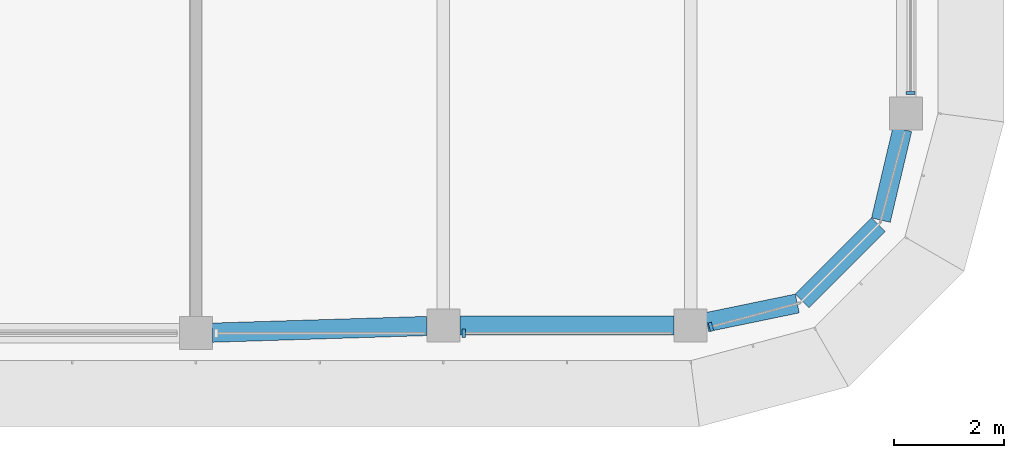
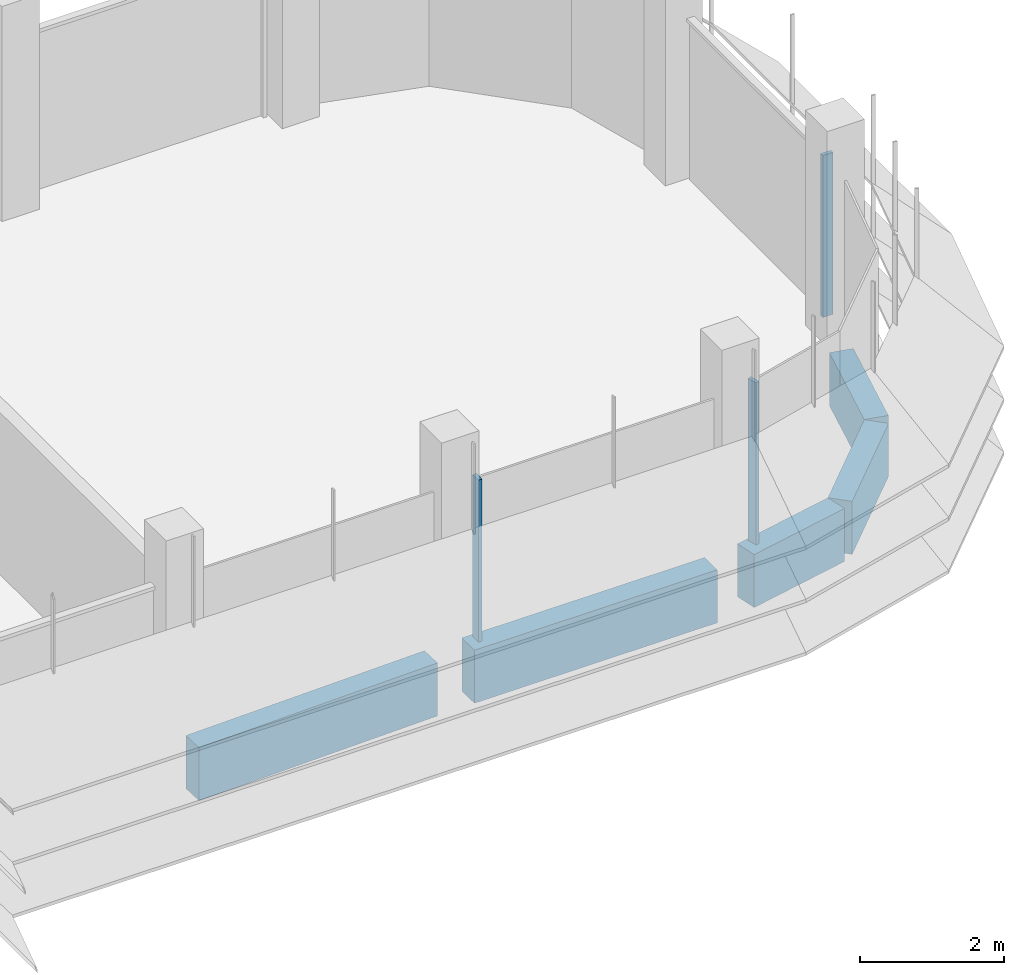
# One storey, part 5 of 19: 5 beams, 3 members, 3 elements without a shape of their own.
"""IFC4 building model written with IfcOpenShell, lengths in metres."""

from ifc_helpers import new_model, si_unit, direction, frame, origin, origin_2d, place, context, subcontext, project, spatial, polyline, rectangle, outline, extrude, source, transform, mapped, material, material_profile, profile_set, type_object, element, aggregate, save


model = new_model("IFC4")

# Units and contexts
model_context = context("Model", 3, precision=1e-05, world=origin(), true_north=direction((0.0, 1.0)))
body_context = subcontext(model_context, "Body", "Model", "MODEL_VIEW")
ifc_project = project(units=[si_unit("LENGTHUNIT", "METRE"), si_unit("AREAUNIT", "SQUARE_METRE"), si_unit("VOLUMEUNIT", "CUBIC_METRE"), si_unit("PLANEANGLEUNIT", "RADIAN"), si_unit("MASSUNIT", "GRAM", prefix="KILO")], contexts=[model_context])

# Site, building, storey
site_placement = place(None, origin())
site = spatial("IfcSite", under=ifc_project, at=site_placement, CompositionType="ELEMENT")
building_placement = place(site_placement, origin())
building = spatial("IfcBuilding", under=site, at=building_placement, Name="Zarbagh Exchange Tower", CompositionType="ELEMENT")
storey_placement = place(building_placement, frame((0.0, 0.0, 257.39990234375)))
storey = spatial("IfcBuildingStorey", under=building, at=storey_placement, Name="L63", CompositionType="ELEMENT", Elevation=257.39990234375)

# Beams
ifc_material_1 = material(Name="Concrete C40/50", Category="concrete")
ifc_material_profile = material_profile(ifc_material_1, rectangle(XDim=0.35009765625, YDim=0.89990234375, at=origin_2d()), Name="RC spandrel beam 350 x 900 C40/50")
ifc_profile_set = profile_set([ifc_material_profile], Name="Concrete C40/50")
beam_type = type_object("IfcBeamType", Name="RC spandrel beam 350 x 900 C40/50", PredefinedType="SPANDREL", material=ifc_profile_set)
beam_1_placement = place(storey_placement, frame((28.600830078125, -2.5419921875, -0.599853515625), z_axis=(-0.230258391117, -0.973129525459, 0.0), x_axis=(0.973129525459, -0.230258391117, 0.0)))
element("IfcBeam", 1, at=beam_1_placement, inside=storey, type_object=beam_type, Name="RC spandrel beam", PredefinedType="SPANDREL", context=body_context, shape_type="SweptSolid", body=[
    extrude(rectangle(XDim=0.35009765625, YDim=0.89990234375, at=origin_2d()), origin(), (0.0, 0.0, 1.0), 1.696533203125),
])
beam_2_placement = place(storey_placement, frame((28.163818359375, -4.2763671875, -0.599853515625), z_axis=(-0.707106781187, -0.707106781187, 0.0), x_axis=(0.707106781187, -0.707106781187, 0.0)))
element("IfcBeam", 2, at=beam_2_placement, inside=storey, type_object=beam_type, Name="RC spandrel beam", PredefinedType="SPANDREL", context=body_context, shape_type="SweptSolid", body=[
    extrude(rectangle(XDim=0.35009765625, YDim=0.89990234375, at=origin_2d()), origin(), (0.0, 0.0, 1.0), 1.95947265625),
])
beam_3_placement = place(storey_placement, frame((26.68994140625, -5.70947265625, -0.599853515625), z_axis=(-0.979349753205, -0.202173343684, 0.0), x_axis=(0.202173343684, -0.979349753205, 0.0)))
element("IfcBeam", 3, at=beam_3_placement, inside=storey, type_object=beam_type, Name="RC spandrel beam", PredefinedType="SPANDREL", context=body_context, shape_type="SweptSolid", body=[
    extrude(rectangle(XDim=0.35009765625, YDim=0.89990234375, at=origin_2d()), origin(), (0.0, 0.0, 1.0), 1.680908203125),
])
beam_4_placement = place(storey_placement, frame((24.449951171875, -6.110107421875, -0.599853515625), z_axis=(-1.0, 0.0, 0.0), x_axis=(0.0, -1.0, 0.0)))
element("IfcBeam", 4, at=beam_4_placement, inside=storey, type_object=beam_type, Name="RC spandrel beam", PredefinedType="SPANDREL", context=body_context, shape_type="SweptSolid", body=[
    extrude(rectangle(XDim=0.35009765625, YDim=0.89990234375, at=origin_2d()), origin(), (0.0, 0.0, 1.0), 3.89990234375),
])
beam_5_placement = place(storey_placement, frame((19.9501953125, -6.119384765625, -0.599853515625), z_axis=(-0.999516460907, -0.031094121249, 0.0), x_axis=(0.031094121249, -0.999516460907, 0.0)))
element("IfcBeam", 5, at=beam_5_placement, inside=storey, type_object=beam_type, Name="RC spandrel beam", PredefinedType="SPANDREL", context=body_context, shape_type="SweptSolid", body=[
    extrude(rectangle(XDim=0.35009765625, YDim=0.89990234375, at=origin_2d()), origin(), (0.0, 0.0, 1.0), 3.90234375),
])

# Curtain wall, member
ifc_material_2 = material(Name="Anodised aluminium frame and glazing", Category="aluminium")
curtain_wall_type = type_object("IfcCurtainWallType", Name="CWB Ribbon glazing, upper zones", PredefinedType="NOTDEFINED", material=ifc_material_2)
curtain_wall_1_placement = place(storey_placement, origin())
curtain_wall_1 = element("IfcCurtainWall", 6, at=curtain_wall_1_placement, inside=storey, type_object=curtain_wall_type, Name="CWB75 curtain wall", PredefinedType="NOTDEFINED")
ifc_material_3 = material(Name="Anodised aluminium frame", Category="aluminium")
member_type = type_object("IfcMemberType", Name="MUB Mullion, anodised aluminium frame", PredefinedType="MULLION", material=ifc_material_3)
shared_shape = source(origin(), body_context, "Body", "SweptSolid", [
    extrude(outline(polyline([(0.0, -0.080078125), (0.06005859375, -0.080078125), (0.06005859375, 0.080078125), (0.0, 0.080078125), (0.0, -0.080078125)])), origin(), (0.0, 0.0, 1.0), 2.75),
])
placement = place(storey_placement, origin())
member_1 = element("IfcMember", 7, at=placement, type_object=member_type, Name="CWB75 mullion 3.1", PredefinedType="MULLION", context=body_context, shape_type="MappedRepresentation", body=[
    mapped(shared_shape, transform((20.590087890625, -6.25, 0.0), x_axis=(1.0, 0.0, 0.0), y_axis=(0.0, 1.0, 0.0), z_axis=(0.0, 0.0, 1.0))),
])
aggregate(curtain_wall_1, [member_1])

curtain_wall_2_placement = place(storey_placement, origin())
curtain_wall_2 = element("IfcCurtainWall", 8, at=curtain_wall_2_placement, inside=storey, type_object=curtain_wall_type, Name="CWB76 curtain wall", PredefinedType="NOTDEFINED")
member_2 = element("IfcMember", 9, at=placement, type_object=member_type, Name="CWB76 mullion 1.1", PredefinedType="MULLION", context=body_context, shape_type="MappedRepresentation", body=[
    mapped(shared_shape, transform((25.08984375, -6.141357421875, 0.0), x_axis=(0.965924289636, 0.258824779902, 0.0), y_axis=(-0.258824779902, 0.965924289636, 0.0), z_axis=(0.0, 0.0, 1.0))),
])
aggregate(curtain_wall_2, [member_2])

curtain_wall_3_placement = place(storey_placement, origin())
curtain_wall_3 = element("IfcCurtainWall", 10, at=curtain_wall_3_placement, inside=storey, type_object=curtain_wall_type, Name="CWB83 curtain wall", PredefinedType="NOTDEFINED")
member_3 = element("IfcMember", 11, at=placement, type_object=member_type, Name="CWB83 mullion 1.1", PredefinedType="MULLION", context=body_context, shape_type="MappedRepresentation", body=[
    mapped(shared_shape, transform((28.75, -1.909912109375, 0.0), x_axis=(0.0, 1.0, 0.0), y_axis=(-1.0, 0.0, 0.0), z_axis=(0.0, 0.0, 1.0))),
])
aggregate(curtain_wall_3, [member_3])

save(model, "model.ifc")
